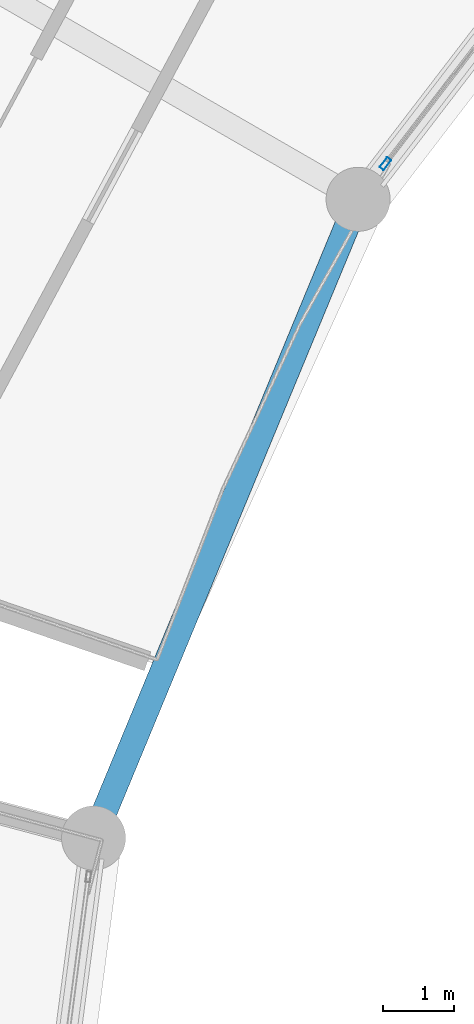
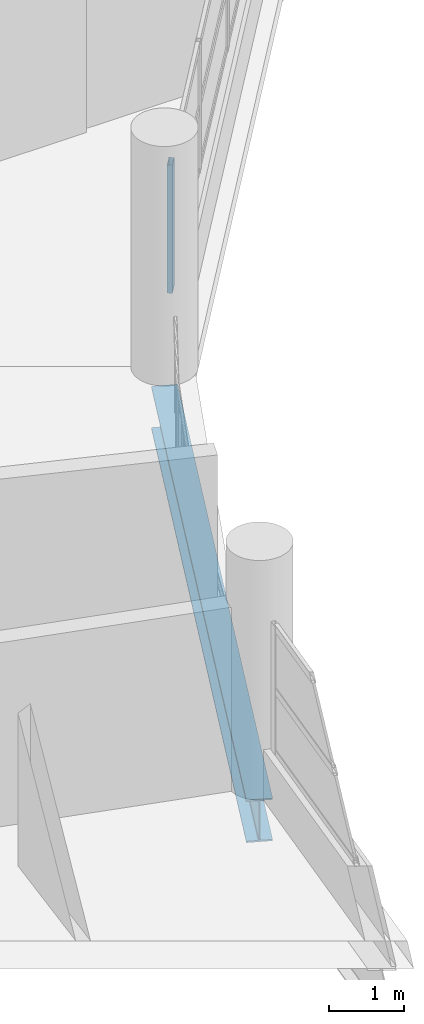
# One storey, part 33 of 88: 1 beam, 1 member, 1 element without a shape of its own.
"""IFC4 building model written with IfcOpenShell, lengths in metres."""

from ifc_helpers import new_model, si_unit, direction, frame, origin, origin_2d, place, context, subcontext, project, spatial, hollow_rectangle, i_section, extrude, material, layer, layer_set, material_profile, profile_set, type_object, element, aggregate, save


model = new_model("IFC4")

# Units and contexts
model_context = context("Model", 3, precision=1e-05, world=origin(), true_north=direction((0.0, 1.0)))
body_context = subcontext(model_context, "Body", "Model", "MODEL_VIEW")
ifc_project = project(units=[si_unit("LENGTHUNIT", "METRE"), si_unit("AREAUNIT", "SQUARE_METRE"), si_unit("VOLUMEUNIT", "CUBIC_METRE"), si_unit("PLANEANGLEUNIT", "RADIAN"), si_unit("MASSUNIT", "GRAM", prefix="KILO")], contexts=[model_context])

# Site, building, storey
site_placement = place(None, origin())
site = spatial("IfcSite", under=ifc_project, at=site_placement, CompositionType="ELEMENT")
building_placement = place(site_placement, origin())
building = spatial("IfcBuilding", under=site, at=building_placement, Name="Vespera Passage Community Centre", CompositionType="ELEMENT")
storey_placement = place(building_placement, frame((0.0, 0.0, 16.5)))
storey = spatial("IfcBuildingStorey", under=building, at=storey_placement, Name="L04", CompositionType="ELEMENT", Elevation=16.5)

# Beam
ifc_material_1 = material(Name="Steel ASTM A992 Grade 50", Category="steel")
ifc_material_profile_1 = material_profile(ifc_material_1, i_section(OverallWidth=0.3544921875, OverallDepth=0.695556640625, WebThickness=0.015380859375, FlangeThickness=0.024658203125, FilletRadius=0.01513671875, at=origin_2d()), Name="W27X146")
ifc_profile_set_1 = profile_set([ifc_material_profile_1], Name="Steel ASTM A992 Grade 50")
beam_type = type_object("IfcBeamType", Name="BM-SP-W27X146E", PredefinedType="SPANDREL", material=ifc_profile_set_1)
beam_placement = place(storey_placement, frame((45.783935546875, 84.10009765625, -0.647705078125), z_axis=(-0.382684844258, -0.923878947685, 0.0), x_axis=(0.923878947685, -0.382684844258, 0.0)))
element("IfcBeam", 1, at=beam_placement, inside=storey, type_object=beam_type, Name="V4 L04 Inner Spandrel 10", PredefinedType="SPANDREL", context=body_context, shape_type="SweptSolid", body=[
    extrude(i_section(OverallWidth=0.3544921875, OverallDepth=0.695556640625, WebThickness=0.015380859375, FlangeThickness=0.024658203125, FilletRadius=0.01513671875, at=origin_2d()), origin(), (0.0, 0.0, 1.0), 9.711181640625),
])

# Curtain wall, member
ifc_material_2 = material(Name="Anodized aluminium 6063-T6", Category="aluminium")
ifc_layer = layer(ifc_material_2, 0.159912109375)
ifc_layer_set = layer_set([ifc_layer], Name="Anodized aluminium 6063-T6")
curtain_wall_type = type_object("IfcCurtainWallType", Name="CW-54E", PredefinedType="NOTDEFINED", material=ifc_layer_set)
curtain_wall_placement = place(storey_placement, origin())
curtain_wall = element("IfcCurtainWall", 2, at=curtain_wall_placement, inside=storey, type_object=curtain_wall_type, Name="V4 L04 Inner Court Curtain Wall 9", PredefinedType="NOTDEFINED")
ifc_material_3 = material(Name="Anodized aluminium 6063-T6", Category="aluminium")
ifc_material_profile_2 = material_profile(ifc_material_3, hollow_rectangle(XDim=0.074951171875, YDim=0.179931640625, WallThickness=0.0048828125, InnerFilletRadius=0.00244140625, OuterFilletRadius=0.0048828125, at=origin_2d()), Name="ALU180X75X5")
ifc_profile_set_2 = profile_set([ifc_material_profile_2], Name="Anodized aluminium 6063-T6")
member_type = type_object("IfcMemberType", Name="MB-CWM-180E", PredefinedType="MULLION", material=ifc_profile_set_2)
member_placement = place(storey_placement, frame((46.167724609375, 84.600341796875, 0.820068359375), z_axis=(0.0, 0.0, 1.0), x_axis=(0.793358205999, -0.608755087843, 0.0)))
member = element("IfcMember", 3, at=member_placement, type_object=member_type, Name="CW-54E mullion 4", PredefinedType="MULLION", context=body_context, shape_type="SweptSolid", body=[
    extrude(hollow_rectangle(XDim=0.074951171875, YDim=0.179931640625, WallThickness=0.0048828125, InnerFilletRadius=0.00244140625, OuterFilletRadius=0.0048828125, at=origin_2d()), origin(), (0.0, 0.0, 1.0), 2.08935546875),
])
aggregate(curtain_wall, [member])

save(model, "model.ifc")
